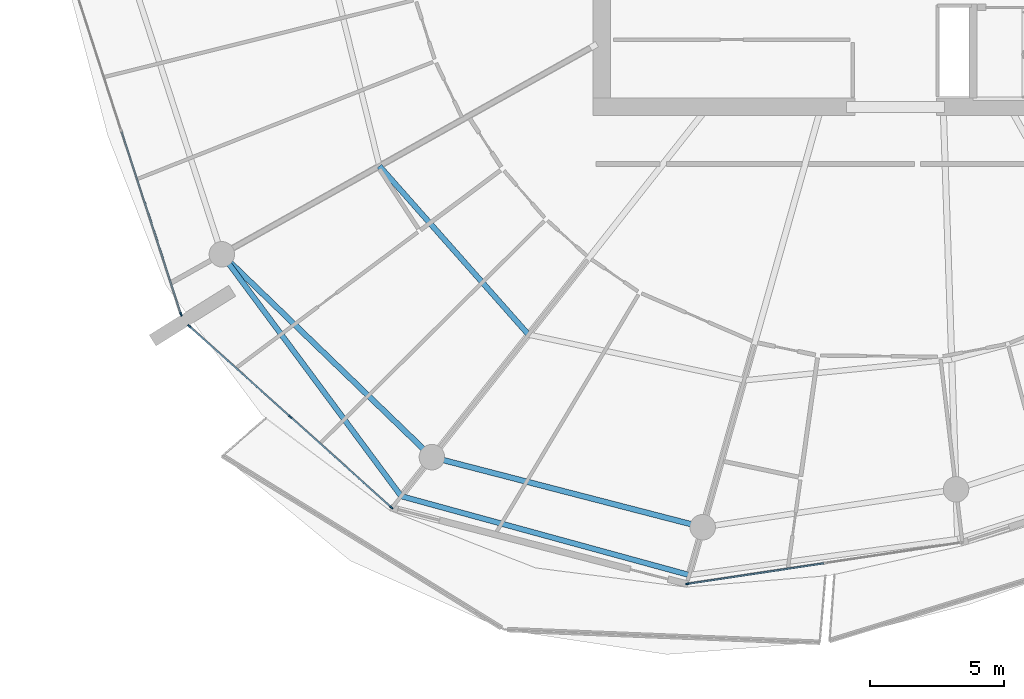
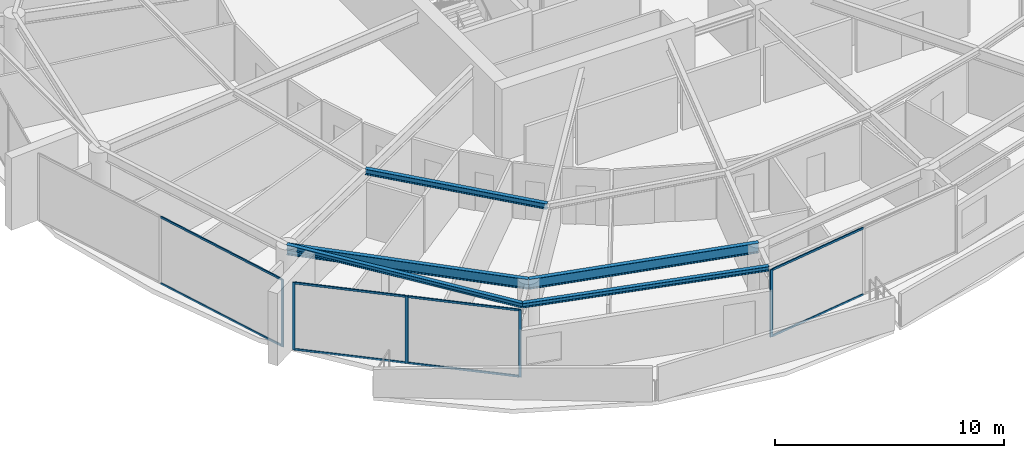
# One storey, part 6 of 31: 13 members, 5 beams, 3 elements without a shape of their own.
"""IFC4 building model written with IfcOpenShell, lengths in metres."""

from ifc_helpers import new_model, si_unit, direction, frame, origin, origin_2d, place, context, subcontext, project, spatial, rectangle, i_section, extrude, material, layer, layer_set, material_profile, profile_set, type_object, element, aggregate, save


model = new_model("IFC4")

# Units and contexts
model_context = context("Model", 3, precision=1e-05, world=origin(), true_north=direction((0.0, 1.0)))
body_context = subcontext(model_context, "Body", "Model", "MODEL_VIEW")
ifc_project = project(units=[si_unit("LENGTHUNIT", "METRE"), si_unit("AREAUNIT", "SQUARE_METRE"), si_unit("VOLUMEUNIT", "CUBIC_METRE"), si_unit("PLANEANGLEUNIT", "RADIAN"), si_unit("MASSUNIT", "GRAM", prefix="KILO")], contexts=[model_context])

# Site, building, storey
site_placement = place(None, origin())
site = spatial("IfcSite", under=ifc_project, at=site_placement, CompositionType="ELEMENT")
building_placement = place(site_placement, origin())
building = spatial("IfcBuilding", under=site, at=building_placement, Name="Kazma Halo Residences", CompositionType="ELEMENT")
storey_placement = place(building_placement, frame((0.0, 0.0, 240.550048828125)))
storey = spatial("IfcBuildingStorey", under=building, at=storey_placement, Name="L60", CompositionType="ELEMENT", Elevation=240.550048828125)

# Beams
ifc_material_1 = material(Name="Steel S355", Category="steel")
ifc_material_profile_1 = material_profile(ifc_material_1, i_section(OverallWidth=0.201904296875, OverallDepth=0.2470703125, WebThickness=0.00732421875, FlangeThickness=0.010986328125, FilletRadius=0.011962890625, at=origin_2d()), Name="W250x49.1")
ifc_profile_set_1 = profile_set([ifc_material_profile_1], Name="Steel S355")
beam_type_1 = type_object("IfcBeamType", Name="BM-BAL-CANT", PredefinedType="BEAM", material=ifc_profile_set_1)
beam_1_placement = place(storey_placement, frame((23.32958984375, 28.18408203125, 3.466552734375), z_axis=(0.595556062515, -0.803313747176, 0.0), x_axis=(0.803313747176, 0.595556062515, 0.0)))
element("IfcBeam", 1, at=beam_1_placement, inside=storey, type_object=beam_type_1, Name="L60 wave-balcony lead tie beam 09", PredefinedType="BEAM", context=body_context, shape_type="SweptSolid", body=[
    extrude(i_section(OverallWidth=0.201904296875, OverallDepth=0.2470703125, WebThickness=0.00732421875, FlangeThickness=0.010986328125, FilletRadius=0.011962890625, at=origin_2d()), origin(), (0.0, 0.0, 1.0), 11.213134765625),
])
beam_2_placement = place(storey_placement, frame((30.007568359375, 19.176513671875, 3.466552734375), z_axis=(0.964514665976, -0.264029277006, 0.0), x_axis=(0.264029277006, 0.964514665976, 0.0)))
element("IfcBeam", 2, at=beam_2_placement, inside=storey, type_object=beam_type_1, Name="L60 wave-balcony tie beam 10", PredefinedType="BEAM", context=body_context, shape_type="SweptSolid", body=[
    extrude(i_section(OverallWidth=0.201904296875, OverallDepth=0.2470703125, WebThickness=0.00732421875, FlangeThickness=0.010986328125, FilletRadius=0.011962890625, at=origin_2d()), origin(), (0.0, 0.0, 1.0), 11.1220703125),
])
ifc_material_profile_2 = material_profile(ifc_material_1, i_section(OverallWidth=0.202880859375, OverallDepth=0.302978515625, WebThickness=0.007568359375, FlangeThickness=0.01318359375, FilletRadius=0.013916015625, at=origin_2d()), Name="W310x60")
ifc_profile_set_2 = profile_set([ifc_material_profile_2], Name="Steel S355")
beam_type_2 = type_object("IfcBeamType", Name="BM-SEC-W310A", PredefinedType="JOIST", material=ifc_profile_set_2)
beam_3_placement = place(storey_placement, frame((29.197265625, 31.469970703125, 3.4384765625), z_axis=(0.662539311942, -0.749027142453, 0.0), x_axis=(0.749027142453, 0.662539311942, 0.0)))
element("IfcBeam", 3, at=beam_3_placement, inside=storey, type_object=beam_type_2, Name="L60 circumferential floor joist 09", PredefinedType="JOIST", context=body_context, shape_type="SweptSolid", body=[
    extrude(i_section(OverallWidth=0.202880859375, OverallDepth=0.302978515625, WebThickness=0.007568359375, FlangeThickness=0.01318359375, FilletRadius=0.013916015625, at=origin_2d()), origin(), (0.0, 0.0, 1.0), 8.381103515625),
])
ifc_material_profile_3 = material_profile(ifc_material_1, i_section(OverallWidth=0.208984375, OverallDepth=0.532958984375, WebThickness=0.01025390625, FlangeThickness=0.015625, FilletRadius=0.01611328125, at=origin_2d()), Name="W530x92")
ifc_profile_set_3 = profile_set([ifc_material_profile_3], Name="Steel S355")
beam_type_3 = type_object("IfcBeamType", Name="BM-SPN-W530", PredefinedType="BEAM", material=ifc_profile_set_3)
beam_4_placement = place(storey_placement, frame((23.32958984375, 28.18408203125, 3.323486328125), z_axis=(0.719345757929, -0.694652201141, 0.0), x_axis=(0.694652201141, 0.719345757929, 0.0)))
element("IfcBeam", 4, at=beam_4_placement, inside=storey, type_object=beam_type_3, Name="L60 perimeter ring beam 09", PredefinedType="BEAM", context=body_context, shape_type="SweptSolid", body=[
    extrude(i_section(OverallWidth=0.208984375, OverallDepth=0.532958984375, WebThickness=0.01025390625, FlangeThickness=0.015625, FilletRadius=0.01611328125, at=origin_2d()), origin(), (0.0, 0.0, 1.0), 10.87548828125),
])
beam_5_placement = place(storey_placement, frame((31.15283203125, 20.62939453125, 3.323486328125), z_axis=(0.968126042852, -0.250463500639, 0.0), x_axis=(0.250463500639, 0.968126042852, 0.0)))
element("IfcBeam", 5, at=beam_5_placement, inside=storey, type_object=beam_type_3, Name="L60 perimeter ring beam 10", PredefinedType="BEAM", context=body_context, shape_type="SweptSolid", body=[
    extrude(i_section(OverallWidth=0.208984375, OverallDepth=0.532958984375, WebThickness=0.01025390625, FlangeThickness=0.015625, FilletRadius=0.01611328125, at=origin_2d()), origin(), (0.0, 0.0, 1.0), 10.416259765625),
])

# Curtain wall, member
ifc_material_2 = material(Name="Aluminium AW-6063 T6 and Triple-Silver Low-E Glass", Category="aluminium")
ifc_layer = layer(ifc_material_2, 0.139892578125)
ifc_layer_set = layer_set([ifc_layer], Name="Aluminium AW-6063 T6 and Triple-Silver Low-E Glass")
curtain_wall_type = type_object("IfcCurtainWallType", Name="CW-SYS-5", PredefinedType="NOTDEFINED", material=ifc_layer_set)
curtain_wall_1_placement = place(storey_placement, origin())
curtain_wall_1 = element("IfcCurtainWall", 6, at=curtain_wall_1_placement, inside=storey, type_object=curtain_wall_type, Name="L60 unitised curtain wall B08", PredefinedType="NOTDEFINED")
ifc_material_3 = material(Name="Aluminium AW-6063 T6", Category="aluminium")
ifc_material_profile_4 = material_profile(ifc_material_3, rectangle(XDim=0.06005859375, YDim=0.139892578125, at=origin_2d()), Name="CWM-60x140")
ifc_profile_set_4 = profile_set([ifc_material_profile_4], Name="Aluminium AW-6063 T6")
member_type_1 = type_object("IfcMemberType", Name="CW-SYS-5-MUL", PredefinedType="MULLION", material=ifc_profile_set_4)
member_1_placement = place(storey_placement, frame((21.8076171875, 25.9521484375, 0.0), z_axis=(0.0, 0.0, 1.0), x_axis=(0.951058464359, 0.309010998786, 0.0)))
member_1 = element("IfcMember", 7, at=member_1_placement, type_object=member_type_1, Name="CWS-5 mullion 3", PredefinedType="MULLION", context=body_context, shape_type="SweptSolid", body=[
    extrude(rectangle(XDim=0.06005859375, YDim=0.139892578125, at=origin_2d()), origin(), (0.0, 0.0, 1.0), 3.58984375),
])

# Curtain wall, members
curtain_wall_2_placement = place(storey_placement, origin())
curtain_wall_2 = element("IfcCurtainWall", 8, at=curtain_wall_2_placement, inside=storey, type_object=curtain_wall_type, Name="L60 unitised curtain wall B09", PredefinedType="NOTDEFINED")
member_2_placement = place(storey_placement, frame((22.11669921875, 25.508056640625, 0.0), z_axis=(0.0, 0.0, 1.0), x_axis=(0.667804826958, 0.744336424671, 0.0)))
member_2 = element("IfcMember", 9, at=member_2_placement, type_object=member_type_1, Name="CWS-5 mullion 1", PredefinedType="MULLION", context=body_context, shape_type="SweptSolid", body=[
    extrude(rectangle(XDim=0.06005859375, YDim=0.139892578125, at=origin_2d()), origin(), (0.0, 0.0, 1.0), 3.58984375),
])
member_3_placement = place(storey_placement, frame((25.878173828125, 22.13330078125, 0.0), z_axis=(0.0, 0.0, 1.0), x_axis=(0.667804826958, 0.744336424671, 0.0)))
member_3 = element("IfcMember", 10, at=member_3_placement, type_object=member_type_1, Name="CWS-5 mullion 2", PredefinedType="MULLION", context=body_context, shape_type="SweptSolid", body=[
    extrude(rectangle(XDim=0.06005859375, YDim=0.139892578125, at=origin_2d()), origin(), (0.0, 0.0, 1.0), 3.58984375),
])
member_4_placement = place(storey_placement, frame((29.6396484375, 18.758544921875, 0.0), z_axis=(0.0, 0.0, 1.0), x_axis=(0.667804826958, 0.744336424671, 0.0)))
member_4 = element("IfcMember", 11, at=member_4_placement, type_object=member_type_1, Name="CWS-5 mullion 3", PredefinedType="MULLION", context=body_context, shape_type="SweptSolid", body=[
    extrude(rectangle(XDim=0.06005859375, YDim=0.139892578125, at=origin_2d()), origin(), (0.0, 0.0, 1.0), 3.58984375),
])

# Curtain wall, member
curtain_wall_3_placement = place(storey_placement, origin())
curtain_wall_3 = element("IfcCurtainWall", 12, at=curtain_wall_3_placement, inside=storey, type_object=curtain_wall_type, Name="L60 unitised curtain wall B11", PredefinedType="NOTDEFINED")
member_5_placement = place(storey_placement, frame((40.671142578125, 15.912841796875, 0.0), z_axis=(0.0, 0.0, 1.0), x_axis=(-0.148697080374, 0.988882792998, 0.0)))
member_5 = element("IfcMember", 13, at=member_5_placement, type_object=member_type_1, Name="CWS-5 mullion 1", PredefinedType="MULLION", context=body_context, shape_type="SweptSolid", body=[
    extrude(rectangle(XDim=0.06005859375, YDim=0.139892578125, at=origin_2d()), origin(), (0.0, 0.0, 1.0), 3.58984375),
])

# Member
ifc_material_profile_5 = material_profile(ifc_material_3, rectangle(XDim=0.06005859375, YDim=0.10498046875, at=origin_2d()), Name="CWT-60x105")
ifc_profile_set_5 = profile_set([ifc_material_profile_5], Name="Aluminium AW-6063 T6")
member_type_2 = type_object("IfcMemberType", Name="CW-SYS-5-TRN", PredefinedType="USERDEFINED", material=ifc_profile_set_5)
member_6_placement = place(storey_placement, frame((19.6015625, 32.7412109375, 0.030029296875), z_axis=(0.309027052142, -0.95105324827, 0.0), x_axis=(0.95105324827, 0.309027052142, 0.0)))
member_6 = element("IfcMember", 14, at=member_6_placement, type_object=member_type_2, Name="CWS-5 transom 2.1", ObjectType="TRANSOM", PredefinedType="USERDEFINED", context=body_context, shape_type="SweptSolid", body=[
    extrude(rectangle(XDim=0.06005859375, YDim=0.10498046875, at=origin_2d()), origin(), (0.0, 0.0, 1.0), 7.108642578125),
])

member_7_placement = place(storey_placement, frame((19.6015625, 32.7412109375, 3.56005859375), z_axis=(0.309027052142, -0.95105324827, 0.0), x_axis=(0.95105324827, 0.309027052142, 0.0)))
member_7 = element("IfcMember", 15, at=member_7_placement, type_object=member_type_2, Name="CWS-5 transom 2.2", ObjectType="TRANSOM", PredefinedType="USERDEFINED", context=body_context, shape_type="SweptSolid", body=[
    extrude(rectangle(XDim=0.06005859375, YDim=0.10498046875, at=origin_2d()), origin(), (0.0, 0.0, 1.0), 7.108642578125),
])

aggregate(curtain_wall_1, [member_1, member_6, member_7])

member_8_placement = place(storey_placement, frame((22.138916015625, 25.488037109375, 0.030029296875), z_axis=(0.744328897483, -0.667813216679, 0.0), x_axis=(0.667813216679, 0.744328897483, 0.0)))
member_8 = element("IfcMember", 16, at=member_8_placement, type_object=member_type_2, Name="CWS-5 transom 1.1", ObjectType="TRANSOM", PredefinedType="USERDEFINED", context=body_context, shape_type="SweptSolid", body=[
    extrude(rectangle(XDim=0.06005859375, YDim=0.10498046875, at=origin_2d()), origin(), (0.0, 0.0, 1.0), 4.993408203125),
])

member_9_placement = place(storey_placement, frame((22.138916015625, 25.488037109375, 3.56005859375), z_axis=(0.744328897483, -0.667813216679, 0.0), x_axis=(0.667813216679, 0.744328897483, 0.0)))
member_9 = element("IfcMember", 17, at=member_9_placement, type_object=member_type_2, Name="CWS-5 transom 1.2", ObjectType="TRANSOM", PredefinedType="USERDEFINED", context=body_context, shape_type="SweptSolid", body=[
    extrude(rectangle(XDim=0.06005859375, YDim=0.10498046875, at=origin_2d()), origin(), (0.0, 0.0, 1.0), 4.993408203125),
])

member_10_placement = place(storey_placement, frame((25.900390625, 22.11328125, 0.030029296875), z_axis=(0.744350700793, -0.667788914425, 0.0), x_axis=(0.667788914425, 0.744350700793, 0.0)))
member_10 = element("IfcMember", 18, at=member_10_placement, type_object=member_type_2, Name="CWS-5 transom 2.1", ObjectType="TRANSOM", PredefinedType="USERDEFINED", context=body_context, shape_type="SweptSolid", body=[
    extrude(rectangle(XDim=0.06005859375, YDim=0.10498046875, at=origin_2d()), origin(), (0.0, 0.0, 1.0), 4.99365234375),
])

member_11_placement = place(storey_placement, frame((25.900390625, 22.11328125, 3.56005859375), z_axis=(0.744350700793, -0.667788914425, 0.0), x_axis=(0.667788914425, 0.744350700793, 0.0)))
member_11 = element("IfcMember", 19, at=member_11_placement, type_object=member_type_2, Name="CWS-5 transom 2.2", ObjectType="TRANSOM", PredefinedType="USERDEFINED", context=body_context, shape_type="SweptSolid", body=[
    extrude(rectangle(XDim=0.06005859375, YDim=0.10498046875, at=origin_2d()), origin(), (0.0, 0.0, 1.0), 4.99365234375),
])

aggregate(curtain_wall_2, [member_2, member_3, member_4, member_8, member_9, member_10, member_11])

member_12_placement = place(storey_placement, frame((40.70068359375, 15.917236328125, 0.030029296875), z_axis=(0.988883972013, 0.148689239341, 0.0), x_axis=(-0.148689239341, 0.988883972013, 0.0)))
member_12 = element("IfcMember", 20, at=member_12_placement, type_object=member_type_2, Name="CWS-5 transom 1.1", ObjectType="TRANSOM", PredefinedType="USERDEFINED", context=body_context, shape_type="SweptSolid", body=[
    extrude(rectangle(XDim=0.06005859375, YDim=0.10498046875, at=origin_2d()), origin(), (0.0, 0.0, 1.0), 5.099853515625),
])

member_13_placement = place(storey_placement, frame((40.70068359375, 15.917236328125, 3.56005859375), z_axis=(0.988883972013, 0.148689239341, 0.0), x_axis=(-0.148689239341, 0.988883972013, 0.0)))
member_13 = element("IfcMember", 21, at=member_13_placement, type_object=member_type_2, Name="CWS-5 transom 1.2", ObjectType="TRANSOM", PredefinedType="USERDEFINED", context=body_context, shape_type="SweptSolid", body=[
    extrude(rectangle(XDim=0.06005859375, YDim=0.10498046875, at=origin_2d()), origin(), (0.0, 0.0, 1.0), 5.099853515625),
])

aggregate(curtain_wall_3, [member_5, member_12, member_13])

save(model, "model.ifc")
